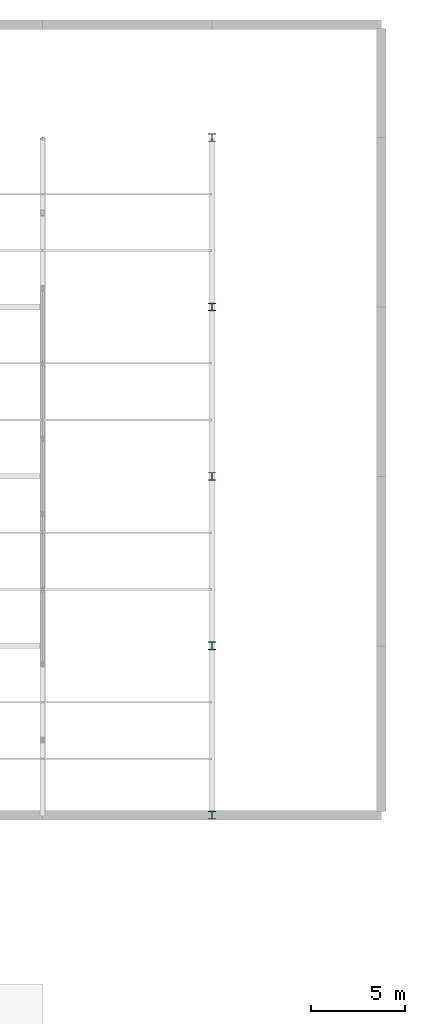
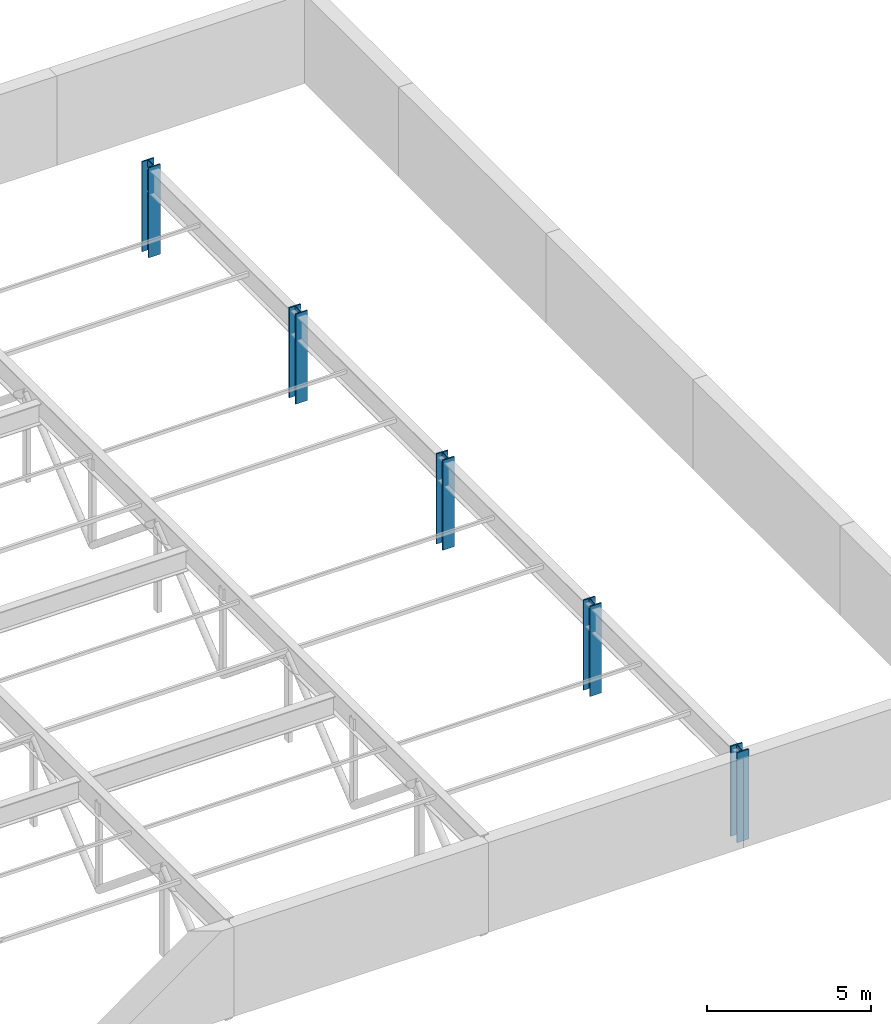
# One storey, part 14 of 91: 5 columns.
"""IFC4 building model written with IfcOpenShell, lengths in metres."""

import ifcopenshell
import ifcopenshell.guid

model = None  # the IFC model being written
_history = None  # IfcOwnerHistory: only IFC2X3 demands one
_inside = {}  # id of a spatial element -> (the spatial element, [elements in it])
_under = {}  # id of a project, library or spatial element -> (it, [spatial elements below it])
_declared = {}  # id of a project -> (the project, [libraries it declares])
_typed = {}  # id of a type object -> (the type object, [elements of that type])
_made_of = {}  # id of a material, layer set ... -> (it, [elements and type objects made of it])


def new_model(schema):
    """Start an empty IFC model of exactly this schema.

    Asked for "IFC4X3", IfcOpenShell would pick the latest addendum, in which some entities
    have other attributes; the version numbers below select the first issue.
    IFC2X3 requires an IfcOwnerHistory on every rooted entity: one is made here for all.
    """
    global model, _history
    if schema == "IFC4X3":
        model = ifcopenshell.file(schema_version=(4, 3, 0, 0))
    else:
        model = ifcopenshell.file(schema=schema)
    _inside.clear()
    _under.clear()
    _declared.clear()
    _typed.clear()
    _made_of.clear()
    _history = None
    if model.schema == "IFC2X3":
        org = make("IfcOrganization", Name="unknown")
        user = make(
            "IfcPersonAndOrganization",
            ThePerson=make("IfcPerson", FamilyName="unknown"),
            TheOrganization=org,
        )
        app = make(
            "IfcApplication",
            ApplicationDeveloper=org,
            Version="unknown",
            ApplicationFullName="unknown",
            ApplicationIdentifier="unknown",
        )
        _history = make(
            "IfcOwnerHistory",
            OwningUser=user,
            OwningApplication=app,
            ChangeAction="ADDED",
            CreationDate=0,
        )
    return model


def make(cls, **values):
    """One entity of the class cls with the attributes given. An attribute that is None is left unset."""
    return model.create_entity(
        cls, **{name: value for name, value in values.items() if value is not None}
    )


def rooted(cls, **values):
    """An entity with a GlobalId (a new one), such as an element, a storey or a relation."""
    return make(cls, GlobalId=ifcopenshell.guid.new(), OwnerHistory=_history, **values)


def si_unit(unit_type, name, prefix=None):
    """IfcSIUnit, for example si_unit("LENGTHUNIT", "METRE", prefix="MILLI")."""
    return make("IfcSIUnit", UnitType=unit_type, Prefix=prefix, Name=name)


def assignment(units):
    """IfcUnitAssignment: the units of a project."""
    return None if units is None else make("IfcUnitAssignment", Units=units)


def point(xyz):
    """IfcCartesianPoint."""
    return None if xyz is None else make("IfcCartesianPoint", Coordinates=xyz)


def direction(xyz):
    """IfcDirection."""
    return None if xyz is None else make("IfcDirection", DirectionRatios=xyz)


def frame(location, z_axis=None, x_axis=None):
    """IfcAxis2Placement3D, a coordinate frame: its origin and axes. An axis left out is left unset."""
    return make(
        "IfcAxis2Placement3D",
        Location=point(location),
        Axis=direction(z_axis),
        RefDirection=direction(x_axis),
    )


def frame_2d(location, x_axis=None):
    """IfcAxis2Placement2D, a coordinate frame in the plane: its origin and x axis."""
    return make(
        "IfcAxis2Placement2D", Location=point(location), RefDirection=direction(x_axis)
    )


def origin():
    """The frame at (0, 0, 0) with its axes left unset."""
    return frame((0.0, 0.0, 0.0))


def origin_2d():
    """The frame at (0, 0) in the plane with its x axis left unset."""
    return frame_2d((0.0, 0.0))


def place(relative_to, where):
    """IfcLocalPlacement: puts the frame where relative to a parent placement (None: the world)."""
    return make(
        "IfcLocalPlacement", PlacementRelTo=relative_to, RelativePlacement=where
    )


def context(
    kind, dimensions, precision=None, world=None, true_north=None, identifier=None
):
    """IfcGeometricRepresentationContext, for example the 3D "Model" context."""
    return make(
        "IfcGeometricRepresentationContext",
        ContextIdentifier=identifier,
        ContextType=kind,
        CoordinateSpaceDimension=dimensions,
        Precision=precision,
        WorldCoordinateSystem=world,
        TrueNorth=true_north,
    )


def subcontext(parent, identifier, kind, view, scale=None):
    """IfcGeometricRepresentationSubContext, for example "Body" below "Model"."""
    return make(
        "IfcGeometricRepresentationSubContext",
        ContextIdentifier=identifier,
        ContextType=kind,
        ParentContext=parent,
        TargetScale=scale,
        TargetView=view,
    )


def project(units=None, contexts=None):
    """IfcProject with its units and contexts."""
    return rooted(
        "IfcProject",
        Name="project",
        RepresentationContexts=contexts,
        UnitsInContext=assignment(units),
    )


def spatial(cls, under=None, at=None, **own):
    """A site, building, storey or space (cls), placed at a placement, below another one or the project."""
    s = rooted(cls, ObjectPlacement=at, **own)
    if under is not None:
        _under.setdefault(under.id(), (under, []))[1].append(s)
    return s


def profile(cls, at=None, kind="AREA", **sizes):
    """A parametric profile (cls). Its sizes go by their IFC names, for example OverallWidth=200.0."""
    return make(cls, ProfileType=kind, Position=at, **sizes)


def i_section(**sizes):
    """IfcIShapeProfileDef."""
    return profile("IfcIShapeProfileDef", **sizes)


def extrude(swept, where, along, depth):
    """IfcExtrudedAreaSolid: the profile swept, set in the frame where, extruded along a direction by depth."""
    return make(
        "IfcExtrudedAreaSolid",
        SweptArea=swept,
        Position=where,
        ExtrudedDirection=direction(along),
        Depth=depth,
    )


def shape(context_of_items, identifier, shape_type, items):
    """IfcShapeRepresentation: the items that make up one representation, for example the "Body"."""
    return make(
        "IfcShapeRepresentation",
        ContextOfItems=context_of_items,
        RepresentationIdentifier=identifier,
        RepresentationType=shape_type,
        Items=items,
    )


def material(Name=None, Category=None):
    """IfcMaterial."""
    return make("IfcMaterial", Name=Name, Category=Category)


def material_profile(
    of_material, cross_section, Name=None, Category=None, Priority=None
):
    """IfcMaterialProfile: a cross section and its material."""
    return make(
        "IfcMaterialProfile",
        Name=Name,
        Material=of_material,
        Profile=cross_section,
        Priority=Priority,
        Category=Category,
    )


def profile_set(profiles, Name=None, composite=None):
    """IfcMaterialProfileSet."""
    return make(
        "IfcMaterialProfileSet",
        Name=Name,
        MaterialProfiles=profiles,
        CompositeProfile=composite,
    )


def made_of(thing, what):
    """Note that an element or type object is made of a material, layer set ...; save() writes the relation."""
    if what is not None:
        _made_of.setdefault(what.id(), (what, []))[1].append(thing)
    return thing


def type_object(cls, material=None, **own):
    """A type object (cls), such as IfcWallType, which elements share."""
    return made_of(rooted(cls, **own), material)


def element(
    cls,
    number,
    at=None,
    inside=None,
    cuts=None,
    type_object=None,
    material=None,
    context=None,
    identifier="Body",
    shape_type=None,
    held_by="IfcProductDefinitionShape",
    body=None,
    shapes=None,
    **own,
):
    """One element of the class cls, such as IfcWall. Its Tag is "e" and its number.

    at: its placement. inside: the storey or other place that contains it. cuts: it is an
    opening in that element (IfcRelVoidsElement). A single representation is given by context,
    identifier, shape_type and body (its items); several are given by shapes. held_by: the class
    of the entity that holds the representations. save() writes the other relations.
    """
    e = rooted(cls, Tag="e%d" % number, ObjectPlacement=at, **own)
    if body is not None:
        shapes = [shape(context, identifier, shape_type, body)]
    if shapes is not None:
        e.Representation = make(held_by, Representations=shapes)
    if inside is not None:
        _inside.setdefault(inside.id(), (inside, []))[1].append(e)
    if cuts is not None:
        rooted(
            "IfcRelVoidsElement", RelatingBuildingElement=cuts, RelatedOpeningElement=e
        )
    if type_object is not None:
        _typed.setdefault(type_object.id(), (type_object, []))[1].append(e)
    return made_of(e, material)


def aggregate(whole, parts):
    """IfcRelAggregates: a whole, such as a stair, and the parts it consists of."""
    return rooted("IfcRelAggregates", RelatingObject=whole, RelatedObjects=parts)


def save(model, path):
    """Write the relations noted so far, then the file.

    IfcRelAggregates (storeys below a building ...), IfcRelContainedInSpatialStructure (elements
    in a storey), IfcRelDefinesByType, IfcRelAssociatesMaterial and IfcRelDeclares: one each for
    every whole, place, type object, material and project.
    """
    for whole, parts in _under.values():
        aggregate(whole, parts)
    for where, things in _inside.values():
        rooted(
            "IfcRelContainedInSpatialStructure",
            RelatedElements=things,
            RelatingStructure=where,
        )
    for kind, things in _typed.values():
        rooted("IfcRelDefinesByType", RelatedObjects=things, RelatingType=kind)
    for what, things in _made_of.values():
        rooted("IfcRelAssociatesMaterial", RelatedObjects=things, RelatingMaterial=what)
    for by, libraries in _declared.values():
        rooted("IfcRelDeclares", RelatingContext=by, RelatedDefinitions=libraries)
    model.write(path)


model = new_model("IFC4")

# Units and contexts
model_context = context("Model", 3, precision=1e-05, world=origin(), true_north=direction((0.0, 1.0)))
body_context = subcontext(model_context, "Body", "Model", "MODEL_VIEW")
ifc_project = project(units=[si_unit("LENGTHUNIT", "METRE"), si_unit("AREAUNIT", "SQUARE_METRE"), si_unit("VOLUMEUNIT", "CUBIC_METRE"), si_unit("PLANEANGLEUNIT", "RADIAN"), si_unit("MASSUNIT", "GRAM", prefix="KILO")], contexts=[model_context])

# Site, building, storey
site_placement = place(None, origin())
site = spatial("IfcSite", under=ifc_project, at=site_placement, CompositionType="ELEMENT")
building_placement = place(site_placement, origin())
building = spatial("IfcBuilding", under=site, at=building_placement, Name="Palais des Congres Ocreval", CompositionType="ELEMENT")
storey_placement = place(building_placement, frame((0.0, 0.0, 8.159912109375)))
storey = spatial("IfcBuildingStorey", under=building, at=storey_placement, Name="L02", CompositionType="ELEMENT", Elevation=8.159912109375)

# Columns
ifc_material = material(Name="Steel S460", Category="steel")
ifc_material_profile = material_profile(ifc_material, i_section(OverallWidth=0.412109375, OverallDepth=0.43505859375, WebThickness=0.027099609375, FlangeThickness=0.0458984375, at=origin_2d()), Name="HD 400x463")
ifc_profile_set = profile_set([ifc_material_profile], Name="Steel S460")
column_type = type_object("IfcColumnType", Name="Column HD 400x463 Steel S460", PredefinedType="COLUMN", material=ifc_profile_set)
for number, where, z_axis, x_axis, name in (
    (1, (153.0, 72.0, 0.0), (0.0, 0.0, 1.0), (1.0, 0.0, 0.0), "Column C02 L02"),
    (2, (153.0, 81.0, 0.0), (0.0, 0.0, 1.0), (1.0, 0.0, 0.0), "Column C02 L02"),
    (3, (153.0, 90.0, 0.0), (0.0, 0.0, 1.0), (1.0, 0.0, 0.0), "Column C02 L02"),
    (4, (153.0, 99.0, 0.0), (0.0, 0.0, 1.0), (1.0, 0.0, 0.0), "Column C02 L02"),
    (5, (153.0, 108.0, 0.0), (0.0, 0.0, 1.0), (1.0, 0.0, 0.0), "Column C02 L02"),
):
    element("IfcColumn", number, at=place(storey_placement, frame(where, z_axis=z_axis, x_axis=x_axis)), inside=storey, type_object=column_type, Name=name, PredefinedType="COLUMN", context=body_context, shape_type="SweptSolid", body=[
        extrude(i_section(OverallWidth=0.412109375, OverallDepth=0.43505859375, WebThickness=0.027099609375, FlangeThickness=0.0458984375, at=origin_2d()), origin(), (0.0, 0.0, 1.0), 3.360107421875),
    ])

save(model, "model.ifc")
